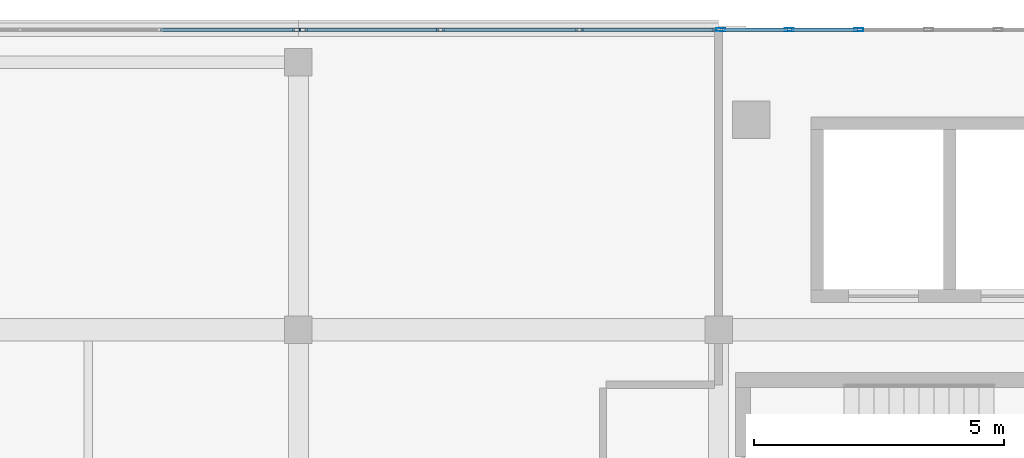
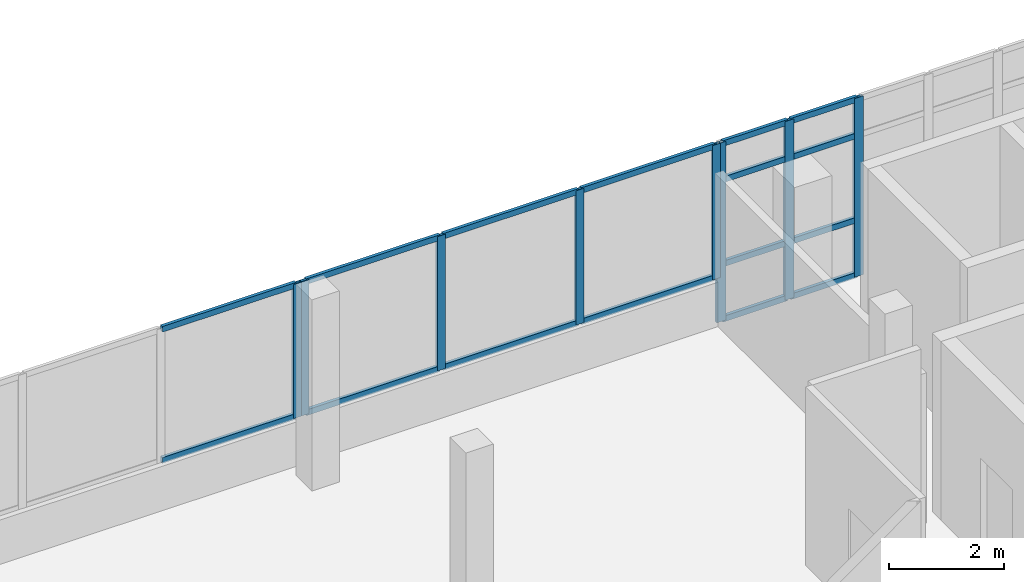
# One storey, part 19 of 66: 24 members, 3 elements without a shape of their own.
"""IFC4 building model written with IfcOpenShell, lengths in metres."""

from ifc_helpers import new_model, si_unit, direction, frame, origin, origin_2d, place, context, subcontext, project, spatial, hollow_rectangle, extrude, material, material_profile, profile_set, type_object, element, aggregate, save


model = new_model("IFC4")

# Units and contexts
model_context = context("Model", 3, precision=1e-05, world=origin(), true_north=direction((0.0, 1.0)))
body_context = subcontext(model_context, "Body", "Model", "MODEL_VIEW")
ifc_project = project(units=[si_unit("LENGTHUNIT", "METRE"), si_unit("AREAUNIT", "SQUARE_METRE"), si_unit("VOLUMEUNIT", "CUBIC_METRE"), si_unit("PLANEANGLEUNIT", "RADIAN"), si_unit("MASSUNIT", "GRAM", prefix="KILO")], contexts=[model_context])

# Site, building, storey
site_placement = place(None, origin())
site = spatial("IfcSite", under=ifc_project, at=site_placement, CompositionType="ELEMENT")
building_placement = place(site_placement, origin())
building = spatial("IfcBuilding", under=site, at=building_placement, Name="Selatvlak General Hospital", CompositionType="ELEMENT")
storey_placement = place(building_placement, frame((0.0, 0.0, 31.35009765625)))
storey = spatial("IfcBuildingStorey", under=building, at=storey_placement, Name="L07", CompositionType="ELEMENT", Elevation=31.35009765625)

# Curtain wall, member
ifc_material_1 = material(Name="Solar-control Low-E double glazing", Category="glass")
curtain_wall_type_1 = type_object("IfcCurtainWallType", Name="CW-CW-02", PredefinedType="USERDEFINED", material=ifc_material_1)
curtain_wall_1_placement = place(storey_placement, origin())
curtain_wall_1 = element("IfcCurtainWall", 1, at=curtain_wall_1_placement, inside=storey, type_object=curtain_wall_type_1, Name="Glazed facade curtain wall CW-L07-0644", ObjectType="UNITISED CURTAIN WALL", PredefinedType="USERDEFINED")
ifc_material_2 = material(Name="Dark anodised aluminium mullion", Category="aluminium")
ifc_material_profile_1 = material_profile(ifc_material_2, hollow_rectangle(XDim=0.06494140625, YDim=0.159912109375, WallThickness=0.00390625, at=origin_2d()), Name="AL-MUL 65x160x4")
ifc_profile_set_1 = profile_set([ifc_material_profile_1], Name="Dark anodised aluminium mullion")
member_type_1 = type_object("IfcMemberType", Name="CWM-01", PredefinedType="MULLION", material=ifc_profile_set_1)
member_1_placement = place(storey_placement, frame((39.552490234375, 119.9990234375, 0.93994140625), z_axis=(0.0, 0.0, 1.0), x_axis=(0.0, 1.0, 0.0)))
member_1 = element("IfcMember", 2, at=member_1_placement, type_object=member_type_1, Name="CW-02 mullion 4", PredefinedType="MULLION", context=body_context, shape_type="SweptSolid", body=[
    extrude(hollow_rectangle(XDim=0.06494140625, YDim=0.159912109375, WallThickness=0.00390625, at=origin_2d()), origin(), (0.0, 0.0, 1.0), 2.844970703125),
])

# Curtain wall, members
curtain_wall_type_2 = type_object("IfcCurtainWallType", Name="CW-CW-01", PredefinedType="USERDEFINED", material=ifc_material_1)
curtain_wall_2_placement = place(storey_placement, origin())
curtain_wall_2 = element("IfcCurtainWall", 3, at=curtain_wall_2_placement, inside=storey, type_object=curtain_wall_type_2, Name="Glazed facade curtain wall CW-L07-0645", ObjectType="UNITISED CURTAIN WALL", PredefinedType="USERDEFINED")
member_2_placement = place(storey_placement, frame((39.697509765625, 119.9990234375, 0.93994140625), z_axis=(0.0, 0.0, 1.0), x_axis=(0.0, 1.0, 0.0)))
member_2 = element("IfcMember", 4, at=member_2_placement, type_object=member_type_1, Name="CW-01 mullion 1", PredefinedType="MULLION", context=body_context, shape_type="SweptSolid", body=[
    extrude(hollow_rectangle(XDim=0.06494140625, YDim=0.159912109375, WallThickness=0.00390625, at=origin_2d()), origin(), (0.0, 0.0, 1.0), 2.844970703125),
])
member_3_placement = place(storey_placement, frame((42.438232421875, 119.9990234375, 0.93994140625), z_axis=(0.0, 0.0, 1.0), x_axis=(0.0, 1.0, 0.0)))
member_3 = element("IfcMember", 5, at=member_3_placement, type_object=member_type_1, Name="CW-01 mullion 2", PredefinedType="MULLION", context=body_context, shape_type="SweptSolid", body=[
    extrude(hollow_rectangle(XDim=0.06494140625, YDim=0.159912109375, WallThickness=0.00390625, at=origin_2d()), origin(), (0.0, 0.0, 1.0), 2.844970703125),
])
member_4_placement = place(storey_placement, frame((45.211669921875, 119.9990234375, 0.93994140625), z_axis=(0.0, 0.0, 1.0), x_axis=(0.0, 1.0, 0.0)))
member_4 = element("IfcMember", 6, at=member_4_placement, type_object=member_type_1, Name="CW-01 mullion 3", PredefinedType="MULLION", context=body_context, shape_type="SweptSolid", body=[
    extrude(hollow_rectangle(XDim=0.06494140625, YDim=0.159912109375, WallThickness=0.00390625, at=origin_2d()), origin(), (0.0, 0.0, 1.0), 2.844970703125),
])
member_5_placement = place(storey_placement, frame((47.952392578125, 119.9990234375, 0.93994140625), z_axis=(0.0, 0.0, 1.0), x_axis=(0.0, 1.0, 0.0)))
member_5 = element("IfcMember", 7, at=member_5_placement, type_object=member_type_1, Name="CW-01 mullion 4", PredefinedType="MULLION", context=body_context, shape_type="SweptSolid", body=[
    extrude(hollow_rectangle(XDim=0.06494140625, YDim=0.159912109375, WallThickness=0.00390625, at=origin_2d()), origin(), (0.0, 0.0, 1.0), 2.844970703125),
])

curtain_wall_type_3 = type_object("IfcCurtainWallType", Name="CW-CW-04", PredefinedType="USERDEFINED", material=ifc_material_1)
curtain_wall_3_placement = place(storey_placement, origin())
curtain_wall_3 = element("IfcCurtainWall", 8, at=curtain_wall_3_placement, inside=storey, type_object=curtain_wall_type_3, Name="Glazed facade curtain wall CW-L07-0646", ObjectType="STICK GLAZING WALL", PredefinedType="USERDEFINED")
ifc_material_profile_2 = material_profile(ifc_material_2, hollow_rectangle(XDim=0.06494140625, YDim=0.179931640625, WallThickness=0.00439453125, at=origin_2d()), Name="AL-MUL 65x180x4.5")
ifc_profile_set_2 = profile_set([ifc_material_profile_2], Name="Dark anodised aluminium mullion")
member_type_2 = type_object("IfcMemberType", Name="CWM-02", PredefinedType="MULLION", material=ifc_profile_set_2)
member_6_placement = place(storey_placement, frame((48.047607421875, 119.9990234375, 0.0), z_axis=(0.0, 0.0, 1.0), x_axis=(0.0, 1.0, 0.0)))
member_6 = element("IfcMember", 9, at=member_6_placement, type_object=member_type_2, Name="CW-04 mullion 1", PredefinedType="MULLION", context=body_context, shape_type="SweptSolid", body=[
    extrude(hollow_rectangle(XDim=0.06494140625, YDim=0.179931640625, WallThickness=0.00439453125, at=origin_2d()), origin(), (0.0, 0.0, 1.0), 3.784912109375),
])
member_7_placement = place(storey_placement, frame((49.409912109375, 119.9990234375, 0.0), z_axis=(0.0, 0.0, 1.0), x_axis=(0.0, 1.0, 0.0)))
member_7 = element("IfcMember", 10, at=member_7_placement, type_object=member_type_2, Name="CW-04 mullion 2", PredefinedType="MULLION", context=body_context, shape_type="SweptSolid", body=[
    extrude(hollow_rectangle(XDim=0.06494140625, YDim=0.179931640625, WallThickness=0.00439453125, at=origin_2d()), origin(), (0.0, 0.0, 1.0), 3.784912109375),
])
member_8_placement = place(storey_placement, frame((50.804931640625, 119.9990234375, 0.0), z_axis=(0.0, 0.0, 1.0), x_axis=(0.0, 1.0, 0.0)))
member_8 = element("IfcMember", 11, at=member_8_placement, type_object=member_type_2, Name="CW-04 mullion 3", PredefinedType="MULLION", context=body_context, shape_type="SweptSolid", body=[
    extrude(hollow_rectangle(XDim=0.06494140625, YDim=0.179931640625, WallThickness=0.00439453125, at=origin_2d()), origin(), (0.0, 0.0, 1.0), 3.784912109375),
])

# Member
ifc_material_profile_3 = material_profile(ifc_material_2, hollow_rectangle(XDim=0.06494140625, YDim=0.1201171875, WallThickness=0.00390625, at=origin_2d()), Name="AL-TRN 65x120x4")
ifc_profile_set_3 = profile_set([ifc_material_profile_3], Name="Dark anodised aluminium mullion")
member_type_3 = type_object("IfcMemberType", Name="CWT-01", PredefinedType="USERDEFINED", material=ifc_profile_set_3)
member_9_placement = place(storey_placement, frame((36.84423828125, 119.9990234375, 0.972412109375), z_axis=(1.0, 0.0, 0.0), x_axis=(0.0, 1.0, 0.0)))
member_9 = element("IfcMember", 12, at=member_9_placement, type_object=member_type_3, Name="CW-02 transom 3.1", ObjectType="TRANSOM", PredefinedType="USERDEFINED", context=body_context, shape_type="SweptSolid", body=[
    extrude(hollow_rectangle(XDim=0.06494140625, YDim=0.1201171875, WallThickness=0.00390625, at=origin_2d()), origin(), (0.0, 0.0, 1.0), 2.67578125),
])

member_10_placement = place(storey_placement, frame((36.84423828125, 119.9990234375, 3.75244140625), z_axis=(1.0, 0.0, 0.0), x_axis=(0.0, 1.0, 0.0)))
member_10 = element("IfcMember", 13, at=member_10_placement, type_object=member_type_3, Name="CW-02 transom 3.2", ObjectType="TRANSOM", PredefinedType="USERDEFINED", context=body_context, shape_type="SweptSolid", body=[
    extrude(hollow_rectangle(XDim=0.06494140625, YDim=0.1201171875, WallThickness=0.00390625, at=origin_2d()), origin(), (0.0, 0.0, 1.0), 2.67578125),
])

aggregate(curtain_wall_1, [member_1, member_9, member_10])

member_11_placement = place(storey_placement, frame((39.72998046875, 119.9990234375, 0.972412109375), z_axis=(1.0, 0.0, 0.0), x_axis=(0.0, 1.0, 0.0)))
member_11 = element("IfcMember", 14, at=member_11_placement, type_object=member_type_3, Name="CW-01 transom 1.1", ObjectType="TRANSOM", PredefinedType="USERDEFINED", context=body_context, shape_type="SweptSolid", body=[
    extrude(hollow_rectangle(XDim=0.06494140625, YDim=0.1201171875, WallThickness=0.00390625, at=origin_2d()), origin(), (0.0, 0.0, 1.0), 2.67578125),
])

member_12_placement = place(storey_placement, frame((39.72998046875, 119.9990234375, 3.75244140625), z_axis=(1.0, 0.0, 0.0), x_axis=(0.0, 1.0, 0.0)))
member_12 = element("IfcMember", 15, at=member_12_placement, type_object=member_type_3, Name="CW-01 transom 1.2", ObjectType="TRANSOM", PredefinedType="USERDEFINED", context=body_context, shape_type="SweptSolid", body=[
    extrude(hollow_rectangle(XDim=0.06494140625, YDim=0.1201171875, WallThickness=0.00390625, at=origin_2d()), origin(), (0.0, 0.0, 1.0), 2.67578125),
])

member_13_placement = place(storey_placement, frame((42.470947265625, 119.9990234375, 0.972412109375), z_axis=(1.0, 0.0, 0.0), x_axis=(0.0, 1.0, 0.0)))
member_13 = element("IfcMember", 16, at=member_13_placement, type_object=member_type_3, Name="CW-01 transom 2.1", ObjectType="TRANSOM", PredefinedType="USERDEFINED", context=body_context, shape_type="SweptSolid", body=[
    extrude(hollow_rectangle(XDim=0.06494140625, YDim=0.1201171875, WallThickness=0.00390625, at=origin_2d()), origin(), (0.0, 0.0, 1.0), 2.708251953125),
])

member_14_placement = place(storey_placement, frame((42.470947265625, 119.9990234375, 3.75244140625), z_axis=(1.0, 0.0, 0.0), x_axis=(0.0, 1.0, 0.0)))
member_14 = element("IfcMember", 17, at=member_14_placement, type_object=member_type_3, Name="CW-01 transom 2.2", ObjectType="TRANSOM", PredefinedType="USERDEFINED", context=body_context, shape_type="SweptSolid", body=[
    extrude(hollow_rectangle(XDim=0.06494140625, YDim=0.1201171875, WallThickness=0.00390625, at=origin_2d()), origin(), (0.0, 0.0, 1.0), 2.708251953125),
])

member_15_placement = place(storey_placement, frame((45.244140625, 119.9990234375, 0.972412109375), z_axis=(1.0, 0.0, 0.0), x_axis=(0.0, 1.0, 0.0)))
member_15 = element("IfcMember", 18, at=member_15_placement, type_object=member_type_3, Name="CW-01 transom 3.1", ObjectType="TRANSOM", PredefinedType="USERDEFINED", context=body_context, shape_type="SweptSolid", body=[
    extrude(hollow_rectangle(XDim=0.06494140625, YDim=0.1201171875, WallThickness=0.00390625, at=origin_2d()), origin(), (0.0, 0.0, 1.0), 2.67578125),
])

member_16_placement = place(storey_placement, frame((45.244140625, 119.9990234375, 3.75244140625), z_axis=(1.0, 0.0, 0.0), x_axis=(0.0, 1.0, 0.0)))
member_16 = element("IfcMember", 19, at=member_16_placement, type_object=member_type_3, Name="CW-01 transom 3.2", ObjectType="TRANSOM", PredefinedType="USERDEFINED", context=body_context, shape_type="SweptSolid", body=[
    extrude(hollow_rectangle(XDim=0.06494140625, YDim=0.1201171875, WallThickness=0.00390625, at=origin_2d()), origin(), (0.0, 0.0, 1.0), 2.67578125),
])

aggregate(curtain_wall_2, [member_2, member_3, member_4, member_5, member_11, member_12, member_13, member_14, member_15, member_16])

member_17_placement = place(storey_placement, frame((48.080078125, 119.9990234375, 0.032470703125), z_axis=(1.0, 0.0, 0.0), x_axis=(0.0, 1.0, 0.0)))
member_17 = element("IfcMember", 20, at=member_17_placement, type_object=member_type_3, Name="CW-04 transom 1.1", ObjectType="TRANSOM", PredefinedType="USERDEFINED", context=body_context, shape_type="SweptSolid", body=[
    extrude(hollow_rectangle(XDim=0.06494140625, YDim=0.1201171875, WallThickness=0.00390625, at=origin_2d()), origin(), (0.0, 0.0, 1.0), 1.29736328125),
])

member_18_placement = place(storey_placement, frame((48.080078125, 119.9990234375, 1.199951171875), z_axis=(1.0, 0.0, 0.0), x_axis=(0.0, 1.0, 0.0)))
member_18 = element("IfcMember", 21, at=member_18_placement, type_object=member_type_3, Name="CW-04 transom 1.2", ObjectType="TRANSOM", PredefinedType="USERDEFINED", context=body_context, shape_type="SweptSolid", body=[
    extrude(hollow_rectangle(XDim=0.06494140625, YDim=0.1201171875, WallThickness=0.00390625, at=origin_2d()), origin(), (0.0, 0.0, 1.0), 1.29736328125),
])

member_19_placement = place(storey_placement, frame((48.080078125, 119.9990234375, 2.98486328125), z_axis=(1.0, 0.0, 0.0), x_axis=(0.0, 1.0, 0.0)))
member_19 = element("IfcMember", 22, at=member_19_placement, type_object=member_type_3, Name="CW-04 transom 1.3", ObjectType="TRANSOM", PredefinedType="USERDEFINED", context=body_context, shape_type="SweptSolid", body=[
    extrude(hollow_rectangle(XDim=0.06494140625, YDim=0.1201171875, WallThickness=0.00390625, at=origin_2d()), origin(), (0.0, 0.0, 1.0), 1.29736328125),
])

member_20_placement = place(storey_placement, frame((48.080078125, 119.9990234375, 3.75244140625), z_axis=(1.0, 0.0, 0.0), x_axis=(0.0, 1.0, 0.0)))
member_20 = element("IfcMember", 23, at=member_20_placement, type_object=member_type_3, Name="CW-04 transom 1.4", ObjectType="TRANSOM", PredefinedType="USERDEFINED", context=body_context, shape_type="SweptSolid", body=[
    extrude(hollow_rectangle(XDim=0.06494140625, YDim=0.1201171875, WallThickness=0.00390625, at=origin_2d()), origin(), (0.0, 0.0, 1.0), 1.29736328125),
])

member_21_placement = place(storey_placement, frame((49.4423828125, 119.9990234375, 0.032470703125), z_axis=(1.0, 0.0, 0.0), x_axis=(0.0, 1.0, 0.0)))
member_21 = element("IfcMember", 24, at=member_21_placement, type_object=member_type_3, Name="CW-04 transom 2.1", ObjectType="TRANSOM", PredefinedType="USERDEFINED", context=body_context, shape_type="SweptSolid", body=[
    extrude(hollow_rectangle(XDim=0.06494140625, YDim=0.1201171875, WallThickness=0.00390625, at=origin_2d()), origin(), (0.0, 0.0, 1.0), 1.330078125),
])

member_22_placement = place(storey_placement, frame((49.4423828125, 119.9990234375, 1.199951171875), z_axis=(1.0, 0.0, 0.0), x_axis=(0.0, 1.0, 0.0)))
member_22 = element("IfcMember", 25, at=member_22_placement, type_object=member_type_3, Name="CW-04 transom 2.2", ObjectType="TRANSOM", PredefinedType="USERDEFINED", context=body_context, shape_type="SweptSolid", body=[
    extrude(hollow_rectangle(XDim=0.06494140625, YDim=0.1201171875, WallThickness=0.00390625, at=origin_2d()), origin(), (0.0, 0.0, 1.0), 1.330078125),
])

member_23_placement = place(storey_placement, frame((49.4423828125, 119.9990234375, 2.98486328125), z_axis=(1.0, 0.0, 0.0), x_axis=(0.0, 1.0, 0.0)))
member_23 = element("IfcMember", 26, at=member_23_placement, type_object=member_type_3, Name="CW-04 transom 2.3", ObjectType="TRANSOM", PredefinedType="USERDEFINED", context=body_context, shape_type="SweptSolid", body=[
    extrude(hollow_rectangle(XDim=0.06494140625, YDim=0.1201171875, WallThickness=0.00390625, at=origin_2d()), origin(), (0.0, 0.0, 1.0), 1.330078125),
])

member_24_placement = place(storey_placement, frame((49.4423828125, 119.9990234375, 3.75244140625), z_axis=(1.0, 0.0, 0.0), x_axis=(0.0, 1.0, 0.0)))
member_24 = element("IfcMember", 27, at=member_24_placement, type_object=member_type_3, Name="CW-04 transom 2.4", ObjectType="TRANSOM", PredefinedType="USERDEFINED", context=body_context, shape_type="SweptSolid", body=[
    extrude(hollow_rectangle(XDim=0.06494140625, YDim=0.1201171875, WallThickness=0.00390625, at=origin_2d()), origin(), (0.0, 0.0, 1.0), 1.330078125),
])

aggregate(curtain_wall_3, [member_6, member_7, member_8, member_17, member_18, member_19, member_20, member_21, member_22, member_23, member_24])

save(model, "model.ifc")
